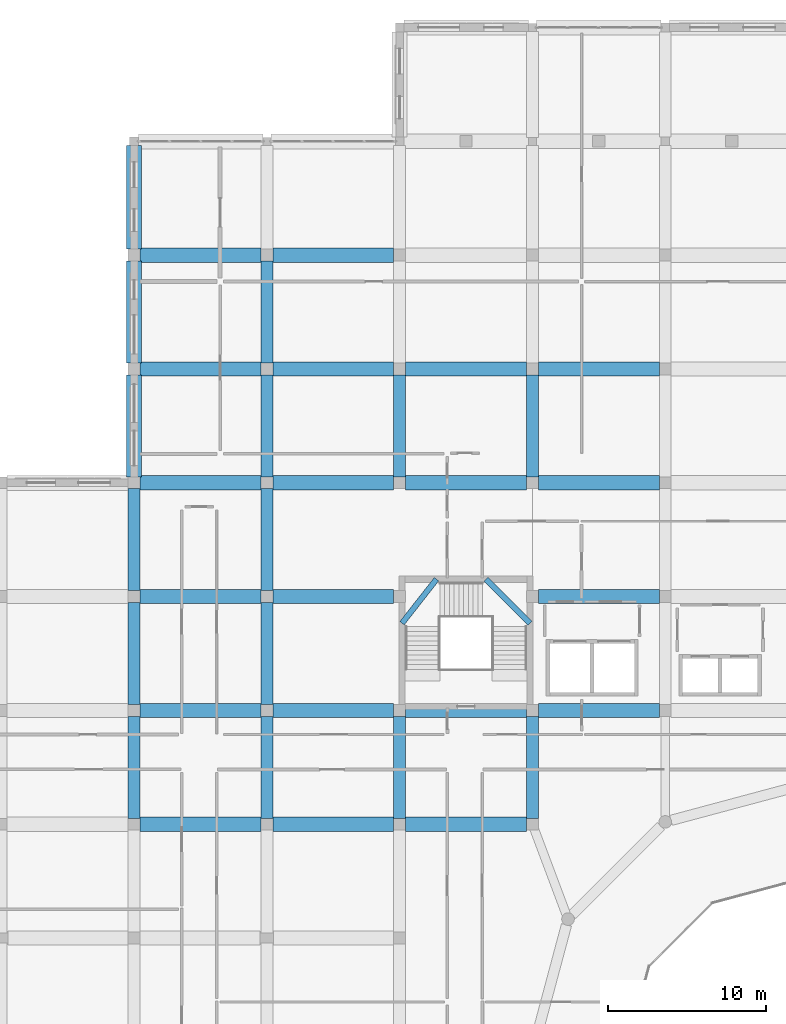
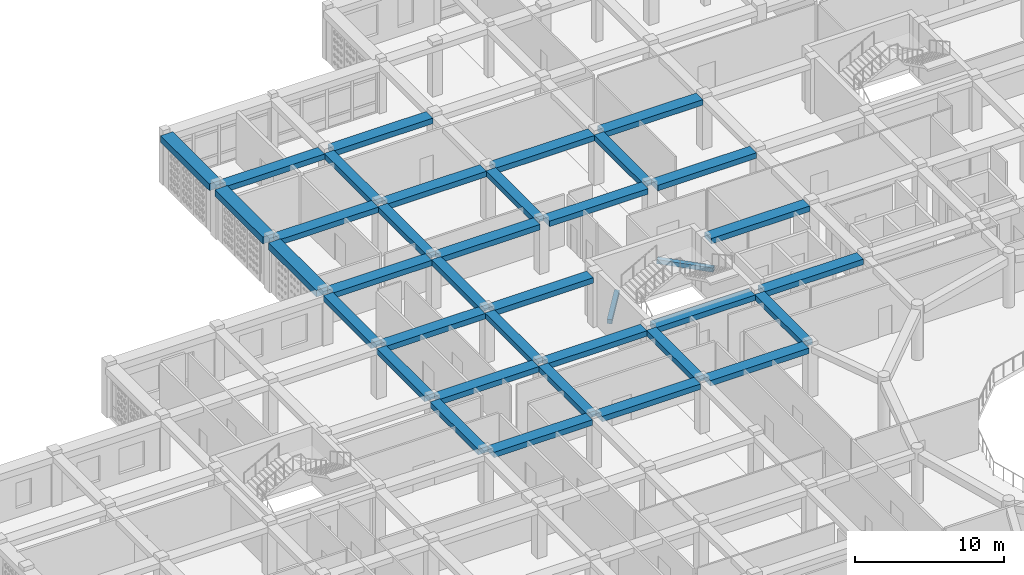
# One storey, part 40 of 121: 37 beams.
"""IFC4 building model written with IfcOpenShell, lengths in metres."""

from ifc_helpers import new_model, si_unit, derived_unit, direction, frame, origin, origin_2d, place, context, subcontext, project, spatial, rectangle, extrude, material, material_profile, profile_set, type_object, element, save


model = new_model("IFC4")

# Units and contexts
model_context = context("Model", 3, precision=1e-05, world=origin(), true_north=direction((0.0, 1.0)))
body_context = subcontext(model_context, "Body", "Model", "MODEL_VIEW")
ifc_project = project(units=[si_unit("LENGTHUNIT", "METRE"), si_unit("AREAUNIT", "SQUARE_METRE"), si_unit("VOLUMEUNIT", "CUBIC_METRE"), si_unit("PLANEANGLEUNIT", "RADIAN"), si_unit("MASSUNIT", "GRAM", prefix="KILO"), derived_unit("THERMALTRANSMITTANCEUNIT", [(si_unit("POWERUNIT", "WATT"), 1), (si_unit("LENGTHUNIT", "METRE"), -2), (si_unit("THERMODYNAMICTEMPERATUREUNIT", "KELVIN"), -1)])], contexts=[model_context])

# Site, building, storey
site_placement = place(None, origin())
site = spatial("IfcSite", under=ifc_project, at=site_placement, CompositionType="ELEMENT")
building_placement = place(site_placement, origin())
building = spatial("IfcBuilding", under=site, at=building_placement, Name="Veybourne Emporium", CompositionType="ELEMENT")
storey_placement = place(building_placement, frame((0.0, 0.0, 5.39990234375)))
storey = spatial("IfcBuildingStorey", under=building, at=storey_placement, Name="L01", CompositionType="ELEMENT", Elevation=5.39990234375)

# Beams
ifc_material = material(Name="Concrete C32/40", Category="concrete")
ifc_material_profile_1 = material_profile(ifc_material, rectangle(XDim=0.35009765625, YDim=0.35009765625, at=origin_2d()), Name="RC 350x350")
ifc_profile_set_1 = profile_set([ifc_material_profile_1], Name="Concrete C32/40")
beam_type_1 = type_object("IfcBeamType", Name="LandingBeam_LB-01", PredefinedType="BEAM", material=ifc_profile_set_1)
beam_1_placement = place(storey_placement, frame((50.550048828125, 77.52001953125, 1.125), z_axis=(0.617055197144, 0.786919871193, 0.0), x_axis=(-0.786919871193, 0.617055197144, 0.0)))
element("IfcBeam", 1, at=beam_1_placement, inside=storey, type_object=beam_type_1, Name="L01 ST-03 landing 1 support beam", PredefinedType="BEAM", context=body_context, shape_type="SweptSolid", body=[
    extrude(rectangle(XDim=0.35009765625, YDim=0.35009765625, at=origin_2d()), origin(), (0.0, 0.0, 1.0), 3.53271484375),
])
beam_2_placement = place(storey_placement, frame((55.8701171875, 80.300048828125, 2.625), z_axis=(0.70707573028, -0.70713783073, 0.0), x_axis=(0.70713783073, 0.70707573028, 0.0)))
element("IfcBeam", 2, at=beam_2_placement, inside=storey, type_object=beam_type_1, Name="L01 ST-03 landing 2 support beam", PredefinedType="BEAM", context=body_context, shape_type="SweptSolid", body=[
    extrude(rectangle(XDim=0.35009765625, YDim=0.35009765625, at=origin_2d()), origin(), (0.0, 0.0, 1.0), 3.931396484375),
])
ifc_material_profile_2 = material_profile(ifc_material, rectangle(XDim=0.89990234375, YDim=0.449951171875, at=origin_2d()), Name="RC 900x450")
ifc_profile_set_2 = profile_set([ifc_material_profile_2], Name="Concrete C32/40")
beam_type_2 = type_object("IfcBeamType", Name="RCBeam_BB-03", PredefinedType="BEAM", material=ifc_profile_set_2)
for number, where, z_axis, x_axis, name in (
    (3, (33.97509765625, 64.800048828125, 3.955078125), (1.0, 0.0, 0.0), (0.0, 1.0, 0.0), "L01 X-grid beam BB-03 (4,9)"),
    (4, (33.97509765625, 72.0, 3.955078125), (1.0, 0.0, 0.0), (0.0, 1.0, 0.0), "L01 X-grid beam BB-03 (4,10)"),
    (5, (33.97509765625, 79.199951171875, 3.955078125), (1.0, 0.0, 0.0), (0.0, 1.0, 0.0), "L01 X-grid beam BB-03 (4,11)"),
    (6, (33.97509765625, 86.39990234375, 3.955078125), (1.0, 0.0, 0.0), (0.0, 1.0, 0.0), "L01 X-grid beam BB-03 (4,12)"),
    (7, (33.97509765625, 93.60009765625, 3.955078125), (1.0, 0.0, 0.0), (0.0, 1.0, 0.0), "L01 X-grid beam BB-03 (4,13)"),
    (8, (33.97509765625, 100.800048828125, 3.955078125), (1.0, 0.0, 0.0), (0.0, 1.0, 0.0), "L01 X-grid beam BB-03 (4,14)"),
    (9, (42.375, 64.800048828125, 3.955078125), (1.0, 0.0, 0.0), (0.0, 1.0, 0.0), "L01 X-grid beam BB-03 (5,9)"),
    (10, (42.375, 72.0, 3.955078125), (1.0, 0.0, 0.0), (0.0, 1.0, 0.0), "L01 X-grid beam BB-03 (5,10)"),
    (11, (42.375, 79.199951171875, 3.955078125), (1.0, 0.0, 0.0), (0.0, 1.0, 0.0), "L01 X-grid beam BB-03 (5,11)"),
    (12, (42.375, 86.39990234375, 3.955078125), (1.0, 0.0, 0.0), (0.0, 1.0, 0.0), "L01 X-grid beam BB-03 (5,12)"),
    (13, (42.375, 93.60009765625, 3.955078125), (1.0, 0.0, 0.0), (0.0, 1.0, 0.0), "L01 X-grid beam BB-03 (5,13)"),
    (14, (42.375, 100.800048828125, 3.955078125), (1.0, 0.0, 0.0), (0.0, 1.0, 0.0), "L01 X-grid beam BB-03 (5,14)"),
):
    element("IfcBeam", number, at=place(storey_placement, frame(where, z_axis=z_axis, x_axis=x_axis)), inside=storey, type_object=beam_type_2, Name=name, PredefinedType="BEAM", context=body_context, shape_type="SweptSolid", body=[
        extrude(rectangle(XDim=0.89990234375, YDim=0.449951171875, at=origin_2d()), origin(), (0.0, 0.0, 1.0), 7.64990234375),
    ])
for number, where, z_axis, x_axis, name in (
    (15, (50.77490234375, 64.800048828125, 3.955078125), (1.0, 0.0, 0.0), (0.0, 1.0, 0.0), "L01 X-grid beam BB-03 (6,9)"),
    (16, (50.77490234375, 72.0, 3.955078125), (1.0, 0.0, 0.0), (0.0, 1.0, 0.0), "L01 X-grid beam BB-03 (6,10)"),
    (17, (50.77490234375, 86.39990234375, 3.955078125), (1.0, 0.0, 0.0), (0.0, 1.0, 0.0), "L01 X-grid beam BB-03 (6,12)"),
    (18, (50.77490234375, 93.60009765625, 3.955078125), (1.0, 0.0, 0.0), (0.0, 1.0, 0.0), "L01 X-grid beam BB-03 (6,13)"),
):
    element("IfcBeam", number, at=place(storey_placement, frame(where, z_axis=z_axis, x_axis=x_axis)), inside=storey, type_object=beam_type_2, Name=name, PredefinedType="BEAM", context=body_context, shape_type="SweptSolid", body=[
        extrude(rectangle(XDim=0.89990234375, YDim=0.449951171875, at=origin_2d()), origin(), (0.0, 0.0, 1.0), 7.650146484375),
    ])
for number, where, z_axis, x_axis, name in (
    (19, (59.175048828125, 72.0, 3.955078125), (1.0, 0.0, 0.0), (0.0, 1.0, 0.0), "L01 X-grid beam BB-03 (7,10)"),
    (20, (59.175048828125, 79.199951171875, 3.955078125), (1.0, 0.0, 0.0), (0.0, 1.0, 0.0), "L01 X-grid beam BB-03 (7,11)"),
    (21, (59.175048828125, 86.39990234375, 3.955078125), (1.0, 0.0, 0.0), (0.0, 1.0, 0.0), "L01 X-grid beam BB-03 (7,12)"),
    (22, (59.175048828125, 93.60009765625, 3.955078125), (1.0, 0.0, 0.0), (0.0, 1.0, 0.0), "L01 X-grid beam BB-03 (7,13)"),
):
    element("IfcBeam", number, at=place(storey_placement, frame(where, z_axis=z_axis, x_axis=x_axis)), inside=storey, type_object=beam_type_2, Name=name, PredefinedType="BEAM", context=body_context, shape_type="SweptSolid", body=[
        extrude(rectangle(XDim=0.89990234375, YDim=0.449951171875, at=origin_2d()), origin(), (0.0, 0.0, 1.0), 7.64990234375),
    ])
ifc_material_profile_3 = material_profile(ifc_material, rectangle(XDim=0.75, YDim=0.449951171875, at=origin_2d()), Name="RC 750x450")
ifc_profile_set_3 = profile_set([ifc_material_profile_3], Name="Concrete C32/40")
beam_type_3 = type_object("IfcBeamType", Name="RCBeam_BB-04", PredefinedType="BEAM", material=ifc_profile_set_3)
for number, where, z_axis, x_axis, name in (
    (23, (33.60009765625, 65.175048828125, 3.955078125), (0.0, 1.0, 0.0), (-1.0, 0.0, 0.0), "L01 Y-grid beam BB-04 (4,9)"),
    (24, (33.60009765625, 72.375, 3.955078125), (0.0, 1.0, 0.0), (-1.0, 0.0, 0.0), "L01 Y-grid beam BB-04 (4,10)"),
    (25, (33.60009765625, 79.574951171875, 3.955078125), (0.0, 1.0, 0.0), (-1.0, 0.0, 0.0), "L01 Y-grid beam BB-04 (4,11)"),
    (26, (42.0, 65.175048828125, 3.955078125), (0.0, 1.0, 0.0), (-1.0, 0.0, 0.0), "L01 Y-grid beam BB-04 (5,9)"),
    (27, (42.0, 72.375, 3.955078125), (0.0, 1.0, 0.0), (-1.0, 0.0, 0.0), "L01 Y-grid beam BB-04 (5,10)"),
    (28, (42.0, 79.574951171875, 3.955078125), (0.0, 1.0, 0.0), (-1.0, 0.0, 0.0), "L01 Y-grid beam BB-04 (5,11)"),
):
    element("IfcBeam", number, at=place(storey_placement, frame(where, z_axis=z_axis, x_axis=x_axis)), inside=storey, type_object=beam_type_3, Name=name, PredefinedType="BEAM", context=body_context, shape_type="SweptSolid", body=[
        extrude(rectangle(XDim=0.75, YDim=0.449951171875, at=origin_2d()), origin(), (0.0, 0.0, 1.0), 6.449951171875),
    ])
beam_3_placement = place(storey_placement, frame((42.0, 86.77490234375, 3.955078125), z_axis=(0.0, 1.0, 0.0), x_axis=(-1.0, 0.0, 0.0)))
element("IfcBeam", 29, at=beam_3_placement, inside=storey, type_object=beam_type_3, Name="L01 Y-grid beam BB-04 (5,12)", PredefinedType="BEAM", context=body_context, shape_type="SweptSolid", body=[
    extrude(rectangle(XDim=0.75, YDim=0.449951171875, at=origin_2d()), origin(), (0.0, 0.0, 1.0), 6.4501953125),
])
for number, where, z_axis, x_axis, name in (
    (30, (42.0, 93.97509765625, 3.955078125), (0.0, 1.0, 0.0), (-1.0, 0.0, 0.0), "L01 Y-grid beam BB-04 (5,13)"),
    (31, (50.39990234375, 65.175048828125, 3.955078125), (0.0, 1.0, 0.0), (-1.0, 0.0, 0.0), "L01 Y-grid beam BB-04 (6,9)"),
):
    element("IfcBeam", number, at=place(storey_placement, frame(where, z_axis=z_axis, x_axis=x_axis)), inside=storey, type_object=beam_type_3, Name=name, PredefinedType="BEAM", context=body_context, shape_type="SweptSolid", body=[
        extrude(rectangle(XDim=0.75, YDim=0.449951171875, at=origin_2d()), origin(), (0.0, 0.0, 1.0), 6.449951171875),
    ])
beam_4_placement = place(storey_placement, frame((50.39990234375, 86.77490234375, 3.955078125), z_axis=(0.0, 1.0, 0.0), x_axis=(-1.0, 0.0, 0.0)))
element("IfcBeam", 32, at=beam_4_placement, inside=storey, type_object=beam_type_3, Name="L01 Y-grid beam BB-04 (6,12)", PredefinedType="BEAM", context=body_context, shape_type="SweptSolid", body=[
    extrude(rectangle(XDim=0.75, YDim=0.449951171875, at=origin_2d()), origin(), (0.0, 0.0, 1.0), 6.4501953125),
])
beam_5_placement = place(storey_placement, frame((58.800048828125, 65.175048828125, 3.955078125), z_axis=(0.0, 1.0, 0.0), x_axis=(-1.0, 0.0, 0.0)))
element("IfcBeam", 33, at=beam_5_placement, inside=storey, type_object=beam_type_3, Name="L01 Y-grid beam BB-04 (7,9)", PredefinedType="BEAM", context=body_context, shape_type="SweptSolid", body=[
    extrude(rectangle(XDim=0.75, YDim=0.449951171875, at=origin_2d()), origin(), (0.0, 0.0, 1.0), 6.449951171875),
])
beam_6_placement = place(storey_placement, frame((58.800048828125, 86.77490234375, 3.955078125), z_axis=(0.0, 1.0, 0.0), x_axis=(-1.0, 0.0, 0.0)))
element("IfcBeam", 34, at=beam_6_placement, inside=storey, type_object=beam_type_3, Name="L01 Y-grid beam BB-04 (7,12)", PredefinedType="BEAM", context=body_context, shape_type="SweptSolid", body=[
    extrude(rectangle(XDim=0.75, YDim=0.449951171875, at=origin_2d()), origin(), (0.0, 0.0, 1.0), 6.4501953125),
])
ifc_material_profile_4 = material_profile(ifc_material, rectangle(XDim=0.949951171875, YDim=0.550048828125, at=origin_2d()), Name="RC 950x550")
ifc_profile_set_4 = profile_set([ifc_material_profile_4], Name="Concrete C32/40")
beam_type_4 = type_object("IfcBeamType", Name="RCBeam_EB-01", PredefinedType="SPANDREL", material=ifc_profile_set_4)
beam_7_placement = place(storey_placement, frame((33.60009765625, 86.77490234375, 3.905029296875), z_axis=(0.0, 1.0, 0.0), x_axis=(-1.0, 0.0, 0.0)))
element("IfcBeam", 35, at=beam_7_placement, inside=storey, type_object=beam_type_4, Name="L01 Y-grid beam EB-01 (4,12)", PredefinedType="SPANDREL", context=body_context, shape_type="SweptSolid", body=[
    extrude(rectangle(XDim=0.949951171875, YDim=0.550048828125, at=origin_2d()), origin(), (0.0, 0.0, 1.0), 6.4501953125),
])
beam_8_placement = place(storey_placement, frame((33.60009765625, 93.97509765625, 3.905029296875), z_axis=(0.0, 1.0, 0.0), x_axis=(-1.0, 0.0, 0.0)))
element("IfcBeam", 36, at=beam_8_placement, inside=storey, type_object=beam_type_4, Name="L01 Y-grid beam EB-01 (4,13)", PredefinedType="SPANDREL", context=body_context, shape_type="SweptSolid", body=[
    extrude(rectangle(XDim=0.949951171875, YDim=0.550048828125, at=origin_2d()), origin(), (0.0, 0.0, 1.0), 6.449951171875),
])
beam_9_placement = place(storey_placement, frame((33.60009765625, 101.175048828125, 3.905029296875), z_axis=(0.0, 1.0, 0.0), x_axis=(-1.0, 0.0, 0.0)))
element("IfcBeam", 37, at=beam_9_placement, inside=storey, type_object=beam_type_4, Name="L01 Y-grid beam EB-01 (4,14)", PredefinedType="SPANDREL", context=body_context, shape_type="SweptSolid", body=[
    extrude(rectangle(XDim=0.949951171875, YDim=0.550048828125, at=origin_2d()), origin(), (0.0, 0.0, 1.0), 6.550048828125),
])

save(model, "model.ifc")
